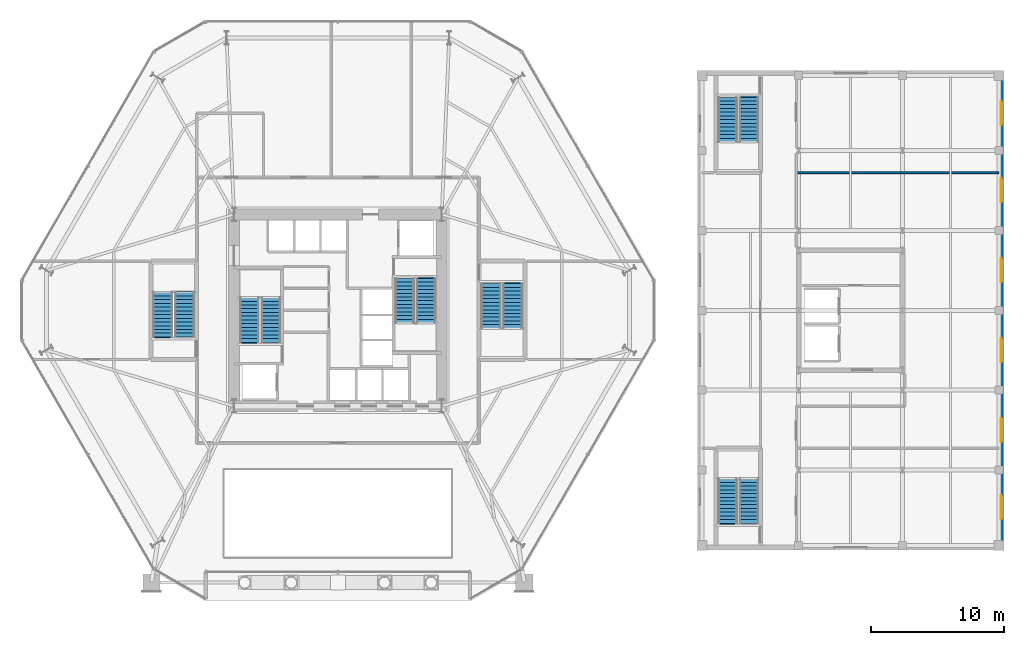
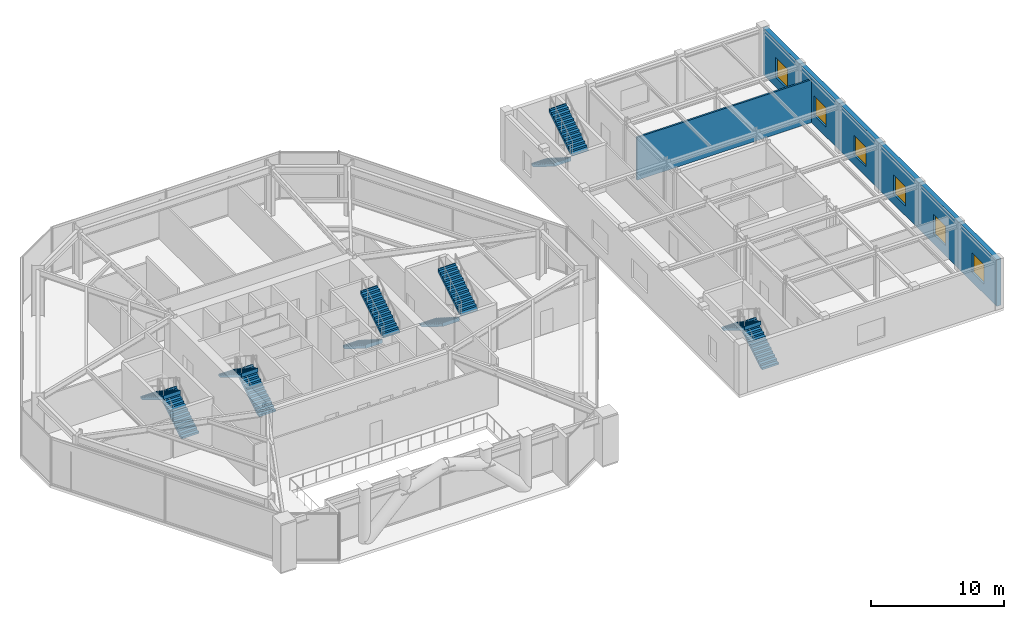
# One storey, part 19 of 23: 12 stair flights, 6 windows, 2 walls, 6 openings, 6 elements without a shape of their own.
"""IFC4 building model written with IfcOpenShell, lengths in metres."""

import ifcopenshell
import ifcopenshell.guid

model = None  # the IFC model being written
_history = None  # IfcOwnerHistory: only IFC2X3 demands one
_inside = {}  # id of a spatial element -> (the spatial element, [elements in it])
_under = {}  # id of a project, library or spatial element -> (it, [spatial elements below it])
_declared = {}  # id of a project -> (the project, [libraries it declares])
_typed = {}  # id of a type object -> (the type object, [elements of that type])
_made_of = {}  # id of a material, layer set ... -> (it, [elements and type objects made of it])


def new_model(schema):
    """Start an empty IFC model of exactly this schema.

    Asked for "IFC4X3", IfcOpenShell would pick the latest addendum, in which some entities
    have other attributes; the version numbers below select the first issue.
    IFC2X3 requires an IfcOwnerHistory on every rooted entity: one is made here for all.
    """
    global model, _history
    if schema == "IFC4X3":
        model = ifcopenshell.file(schema_version=(4, 3, 0, 0))
    else:
        model = ifcopenshell.file(schema=schema)
    _inside.clear()
    _under.clear()
    _declared.clear()
    _typed.clear()
    _made_of.clear()
    _history = None
    if model.schema == "IFC2X3":
        org = make("IfcOrganization", Name="unknown")
        user = make(
            "IfcPersonAndOrganization",
            ThePerson=make("IfcPerson", FamilyName="unknown"),
            TheOrganization=org,
        )
        app = make(
            "IfcApplication",
            ApplicationDeveloper=org,
            Version="unknown",
            ApplicationFullName="unknown",
            ApplicationIdentifier="unknown",
        )
        _history = make(
            "IfcOwnerHistory",
            OwningUser=user,
            OwningApplication=app,
            ChangeAction="ADDED",
            CreationDate=0,
        )
    return model


def make(cls, **values):
    """One entity of the class cls with the attributes given. An attribute that is None is left unset."""
    return model.create_entity(
        cls, **{name: value for name, value in values.items() if value is not None}
    )


def rooted(cls, **values):
    """An entity with a GlobalId (a new one), such as an element, a storey or a relation."""
    return make(cls, GlobalId=ifcopenshell.guid.new(), OwnerHistory=_history, **values)


def si_unit(unit_type, name, prefix=None):
    """IfcSIUnit, for example si_unit("LENGTHUNIT", "METRE", prefix="MILLI")."""
    return make("IfcSIUnit", UnitType=unit_type, Prefix=prefix, Name=name)


def assignment(units):
    """IfcUnitAssignment: the units of a project."""
    return None if units is None else make("IfcUnitAssignment", Units=units)


def point(xyz):
    """IfcCartesianPoint."""
    return None if xyz is None else make("IfcCartesianPoint", Coordinates=xyz)


def direction(xyz):
    """IfcDirection."""
    return None if xyz is None else make("IfcDirection", DirectionRatios=xyz)


def frame(location, z_axis=None, x_axis=None):
    """IfcAxis2Placement3D, a coordinate frame: its origin and axes. An axis left out is left unset."""
    return make(
        "IfcAxis2Placement3D",
        Location=point(location),
        Axis=direction(z_axis),
        RefDirection=direction(x_axis),
    )


def frame_2d(location, x_axis=None):
    """IfcAxis2Placement2D, a coordinate frame in the plane: its origin and x axis."""
    return make(
        "IfcAxis2Placement2D", Location=point(location), RefDirection=direction(x_axis)
    )


def origin():
    """The frame at (0, 0, 0) with its axes left unset."""
    return frame((0.0, 0.0, 0.0))


def place(relative_to, where):
    """IfcLocalPlacement: puts the frame where relative to a parent placement (None: the world)."""
    return make(
        "IfcLocalPlacement", PlacementRelTo=relative_to, RelativePlacement=where
    )


def context(
    kind, dimensions, precision=None, world=None, true_north=None, identifier=None
):
    """IfcGeometricRepresentationContext, for example the 3D "Model" context."""
    return make(
        "IfcGeometricRepresentationContext",
        ContextIdentifier=identifier,
        ContextType=kind,
        CoordinateSpaceDimension=dimensions,
        Precision=precision,
        WorldCoordinateSystem=world,
        TrueNorth=true_north,
    )


def subcontext(parent, identifier, kind, view, scale=None):
    """IfcGeometricRepresentationSubContext, for example "Body" below "Model"."""
    return make(
        "IfcGeometricRepresentationSubContext",
        ContextIdentifier=identifier,
        ContextType=kind,
        ParentContext=parent,
        TargetScale=scale,
        TargetView=view,
    )


def project(units=None, contexts=None):
    """IfcProject with its units and contexts."""
    return rooted(
        "IfcProject",
        Name="project",
        RepresentationContexts=contexts,
        UnitsInContext=assignment(units),
    )


def spatial(cls, under=None, at=None, **own):
    """A site, building, storey or space (cls), placed at a placement, below another one or the project."""
    s = rooted(cls, ObjectPlacement=at, **own)
    if under is not None:
        _under.setdefault(under.id(), (under, []))[1].append(s)
    return s


def polyline(points):
    """IfcPolyline through the points."""
    return make("IfcPolyline", Points=[point(p) for p in points])


def profile(cls, at=None, kind="AREA", **sizes):
    """A parametric profile (cls). Its sizes go by their IFC names, for example OverallWidth=200.0."""
    return make(cls, ProfileType=kind, Position=at, **sizes)


def rectangle(**sizes):
    """IfcRectangleProfileDef."""
    return profile("IfcRectangleProfileDef", **sizes)


def outline(outer, holes=None, kind="AREA"):
    """IfcArbitraryClosedProfileDef: a profile drawn as a closed curve; with holes, ...WithVoids."""
    if holes is None:
        return make("IfcArbitraryClosedProfileDef", ProfileType=kind, OuterCurve=outer)
    return make(
        "IfcArbitraryProfileDefWithVoids",
        ProfileType=kind,
        OuterCurve=outer,
        InnerCurves=holes,
    )


def extrude(swept, where, along, depth):
    """IfcExtrudedAreaSolid: the profile swept, set in the frame where, extruded along a direction by depth."""
    return make(
        "IfcExtrudedAreaSolid",
        SweptArea=swept,
        Position=where,
        ExtrudedDirection=direction(along),
        Depth=depth,
    )


def shape(context_of_items, identifier, shape_type, items):
    """IfcShapeRepresentation: the items that make up one representation, for example the "Body"."""
    return make(
        "IfcShapeRepresentation",
        ContextOfItems=context_of_items,
        RepresentationIdentifier=identifier,
        RepresentationType=shape_type,
        Items=items,
    )


def material(Name=None, Category=None):
    """IfcMaterial."""
    return make("IfcMaterial", Name=Name, Category=Category)


def layer(
    of_material, thickness, ventilated=None, Name=None, Category=None, Priority=None
):
    """IfcMaterialLayer: one layer of a wall or slab, of a material (None: an air gap)."""
    return make(
        "IfcMaterialLayer",
        Material=of_material,
        LayerThickness=thickness,
        IsVentilated=ventilated,
        Name=Name,
        Category=Category,
        Priority=Priority,
    )


def layer_set(layers, Name=None):
    """IfcMaterialLayerSet."""
    return make("IfcMaterialLayerSet", MaterialLayers=layers, LayerSetName=Name)


def made_of(thing, what):
    """Note that an element or type object is made of a material, layer set ...; save() writes the relation."""
    if what is not None:
        _made_of.setdefault(what.id(), (what, []))[1].append(thing)
    return thing


def type_object(cls, material=None, **own):
    """A type object (cls), such as IfcWallType, which elements share."""
    return made_of(rooted(cls, **own), material)


def element(
    cls,
    number,
    at=None,
    inside=None,
    cuts=None,
    type_object=None,
    material=None,
    context=None,
    identifier="Body",
    shape_type=None,
    held_by="IfcProductDefinitionShape",
    body=None,
    shapes=None,
    **own,
):
    """One element of the class cls, such as IfcWall. Its Tag is "e" and its number.

    at: its placement. inside: the storey or other place that contains it. cuts: it is an
    opening in that element (IfcRelVoidsElement). A single representation is given by context,
    identifier, shape_type and body (its items); several are given by shapes. held_by: the class
    of the entity that holds the representations. save() writes the other relations.
    """
    e = rooted(cls, Tag="e%d" % number, ObjectPlacement=at, **own)
    if body is not None:
        shapes = [shape(context, identifier, shape_type, body)]
    if shapes is not None:
        e.Representation = make(held_by, Representations=shapes)
    if inside is not None:
        _inside.setdefault(inside.id(), (inside, []))[1].append(e)
    if cuts is not None:
        rooted(
            "IfcRelVoidsElement", RelatingBuildingElement=cuts, RelatedOpeningElement=e
        )
    if type_object is not None:
        _typed.setdefault(type_object.id(), (type_object, []))[1].append(e)
    return made_of(e, material)


def fill(opening, filler):
    """IfcRelFillsElement: the door or window that sits in an opening."""
    return rooted(
        "IfcRelFillsElement",
        RelatingOpeningElement=opening,
        RelatedBuildingElement=filler,
    )


def aggregate(whole, parts):
    """IfcRelAggregates: a whole, such as a stair, and the parts it consists of."""
    return rooted("IfcRelAggregates", RelatingObject=whole, RelatedObjects=parts)


def save(model, path):
    """Write the relations noted so far, then the file.

    IfcRelAggregates (storeys below a building ...), IfcRelContainedInSpatialStructure (elements
    in a storey), IfcRelDefinesByType, IfcRelAssociatesMaterial and IfcRelDeclares: one each for
    every whole, place, type object, material and project.
    """
    for whole, parts in _under.values():
        aggregate(whole, parts)
    for where, things in _inside.values():
        rooted(
            "IfcRelContainedInSpatialStructure",
            RelatedElements=things,
            RelatingStructure=where,
        )
    for kind, things in _typed.values():
        rooted("IfcRelDefinesByType", RelatedObjects=things, RelatingType=kind)
    for what, things in _made_of.values():
        rooted("IfcRelAssociatesMaterial", RelatedObjects=things, RelatingMaterial=what)
    for by, libraries in _declared.values():
        rooted("IfcRelDeclares", RelatingContext=by, RelatedDefinitions=libraries)
    model.write(path)


model = new_model("IFC4")

# Units and contexts
model_context = context("Model", 3, precision=1e-05, world=origin(), true_north=direction((0.0, 1.0)))
body_context = subcontext(model_context, "Body", "Model", "MODEL_VIEW")
ifc_project = project(units=[si_unit("LENGTHUNIT", "METRE"), si_unit("AREAUNIT", "SQUARE_METRE"), si_unit("VOLUMEUNIT", "CUBIC_METRE"), si_unit("PLANEANGLEUNIT", "RADIAN"), si_unit("MASSUNIT", "GRAM", prefix="KILO")], contexts=[model_context])

# Site, building, storey
site_placement = place(None, origin())
site = spatial("IfcSite", under=ifc_project, at=site_placement, CompositionType="ELEMENT")
building_placement = place(site_placement, origin())
building = spatial("IfcBuilding", under=site, at=building_placement, Name="Kranzbogen Civic Tower", CompositionType="ELEMENT")
storey_placement = place(building_placement, frame((0.0, 0.0, 14.39990234375)))
storey = spatial("IfcBuildingStorey", under=building, at=storey_placement, Name="L03", CompositionType="ELEMENT", Elevation=14.39990234375)

# Wall
ifc_material_1 = material(Name="Double-Stud Acoustic Gypsum Partition")
ifc_layer_1 = layer(ifc_material_1, 0.14990234375, Name="Double-Stud Acoustic Gypsum Partition")
ifc_layer_set_1 = layer_set([ifc_layer_1], Name="Double-Stud Acoustic Gypsum Partition")
wall_type_1 = type_object("IfcWallType", Name="Acoustic Corridor and Clinical Partition 150 mm", PredefinedType="PARTITIONING", material=ifc_layer_set_1)
wall_1_placement = place(storey_placement, frame((59.455078125, 35.35009765625, 0.0), z_axis=(0.0, 0.0, 1.0), x_axis=(1.0, 0.0, 0.0)))
element("IfcWall", 1, at=wall_1_placement, inside=storey, type_object=wall_type_1, Name="L03 clinical partition 06", PredefinedType="PARTITIONING", context=body_context, shape_type="SweptSolid", body=[
    extrude(rectangle(XDim=15.1650390625, YDim=0.14990234375, at=frame_2d((7.58251953125, 0.0))), origin(), (0.0, 0.0, 1.0), 3.940185546875),
])

# Wall, openings, windows
ifc_material_2 = material(Name="Precast concrete C40/50", Category="concrete")
ifc_layer_2 = layer(ifc_material_2, 0.3798828125, Name="Precast concrete C40/50")
ifc_layer_set_2 = layer_set([ifc_layer_2], Name="Precast concrete C40/50")
wall_type_2 = type_object("IfcWallType", Name="Health Centre Insulated Precast Facade Wall 380 mm", PredefinedType="STANDARD", material=ifc_layer_set_2)
wall_2_placement = place(storey_placement, frame((74.81005859375, 42.6201171875, 0.0), z_axis=(0.0, 0.0, 1.0), x_axis=(0.0, -1.0, 0.0)))
wall_2 = element("IfcWall", 2, at=wall_2_placement, inside=storey, type_object=wall_type_2, Name="L03 Health Centre East facade wall", PredefinedType="STANDARD", context=body_context, shape_type="SweptSolid", body=[
    extrude(rectangle(XDim=35.240234375, YDim=0.3798828125, at=frame_2d((17.6201171875, 0.0))), origin(), (0.0, 0.0, 1.0), 4.300048828125),
])
opening_1_placement = place(wall_2_placement, frame((31.52001953125, 0.0, 0.89990234375)))
opening_1 = element("IfcOpeningElement", 3, at=opening_1_placement, cuts=wall_2, Name="Opening W-HC18", PredefinedType="OPENING", context=body_context, shape_type="SweptSolid", body=[
    extrude(rectangle(XDim=1.800048828125, YDim=1.800048828125, at=frame_2d((0.89990234375, 0.89990234375))), frame((0.0, 0.199951171875, 0.0), z_axis=(0.0, -1.0, 0.0), x_axis=(1.0, 0.0, 0.0)), (0.0, 0.0, 1.0), 0.39990234375),
])
opening_2_placement = place(wall_2_placement, frame((25.719970703125, 0.0, 0.89990234375)))
opening_2 = element("IfcOpeningElement", 4, at=opening_2_placement, cuts=wall_2, Name="Opening W-HC18", PredefinedType="OPENING", context=body_context, shape_type="SweptSolid", body=[
    extrude(rectangle(XDim=1.800048828125, YDim=1.800048828125, at=frame_2d((0.89990234375, 0.89990234375))), frame((0.0, 0.199951171875, 0.0), z_axis=(0.0, -1.0, 0.0), x_axis=(1.0, 0.0, 0.0)), (0.0, 0.0, 1.0), 0.39990234375),
])
opening_3_placement = place(wall_2_placement, frame((19.719970703125, 0.0, 0.89990234375)))
opening_3 = element("IfcOpeningElement", 5, at=opening_3_placement, cuts=wall_2, Name="Opening W-HC18", PredefinedType="OPENING", context=body_context, shape_type="SweptSolid", body=[
    extrude(rectangle(XDim=1.800048828125, YDim=1.800048828125, at=frame_2d((0.89990234375, 0.89990234375))), frame((0.0, 0.199951171875, 0.0), z_axis=(0.0, -1.0, 0.0), x_axis=(1.0, 0.0, 0.0)), (0.0, 0.0, 1.0), 0.39990234375),
])
opening_4_placement = place(wall_2_placement, frame((13.719970703125, 0.0, 0.89990234375)))
opening_4 = element("IfcOpeningElement", 6, at=opening_4_placement, cuts=wall_2, Name="Opening W-HC18", PredefinedType="OPENING", context=body_context, shape_type="SweptSolid", body=[
    extrude(rectangle(XDim=1.800048828125, YDim=1.800048828125, at=frame_2d((0.89990234375, 0.89990234375))), frame((0.0, 0.199951171875, 0.0), z_axis=(0.0, -1.0, 0.0), x_axis=(1.0, 0.0, 0.0)), (0.0, 0.0, 1.0), 0.39990234375),
])
opening_5_placement = place(wall_2_placement, frame((7.719970703125, 0.0, 0.89990234375)))
opening_5 = element("IfcOpeningElement", 7, at=opening_5_placement, cuts=wall_2, Name="Opening W-HC18", PredefinedType="OPENING", context=body_context, shape_type="SweptSolid", body=[
    extrude(rectangle(XDim=1.800048828125, YDim=1.800048828125, at=frame_2d((0.89990234375, 0.89990234375))), frame((0.0, 0.199951171875, 0.0), z_axis=(0.0, -1.0, 0.0), x_axis=(1.0, 0.0, 0.0)), (0.0, 0.0, 1.0), 0.39990234375),
])
opening_6_placement = place(wall_2_placement, frame((1.919921875, 0.0, 0.89990234375)))
opening_6 = element("IfcOpeningElement", 8, at=opening_6_placement, cuts=wall_2, Name="Opening W-HC18", PredefinedType="OPENING", context=body_context, shape_type="SweptSolid", body=[
    extrude(rectangle(XDim=1.800048828125, YDim=1.800048828125, at=frame_2d((0.89990234375, 0.89990234375))), frame((0.0, 0.199951171875, 0.0), z_axis=(0.0, -1.0, 0.0), x_axis=(1.0, 0.0, 0.0)), (0.0, 0.0, 1.0), 0.39990234375),
])
ifc_material_3 = material(Name="Low-E Triple Glazing Glass", Category="glass")
window_type = type_object("IfcWindowType", Name="Clinical Triple-Glazed Window 1800x1800", PartitioningType="DOUBLE_PANEL_VERTICAL", PredefinedType="WINDOW", material=ifc_material_3)
window_1_placement = place(opening_1_placement, origin())
window_1 = element("IfcWindow", 9, at=window_1_placement, inside=storey, type_object=window_type, Name="L03 Health Centre East bay 1 window", OverallHeight=1.800048828125, OverallWidth=1.800048828125, PartitioningType="DOUBLE_PANEL_VERTICAL", PredefinedType="WINDOW", context=body_context, shape_type="SweptSolid", body=[
    extrude(rectangle(XDim=1.800048828125, YDim=1.800048828125, at=frame_2d((0.89990234375, 0.89990234375))), frame((0.0, 0.030029296875, 0.0), z_axis=(0.0, -1.0, 0.0), x_axis=(1.0, 0.0, 0.0)), (0.0, 0.0, 1.0), 0.06005859375),
])
fill(opening_1, window_1)
window_2_placement = place(opening_2_placement, origin())
window_2 = element("IfcWindow", 10, at=window_2_placement, inside=storey, type_object=window_type, Name="L03 Health Centre East bay 2 window", OverallHeight=1.800048828125, OverallWidth=1.800048828125, PartitioningType="DOUBLE_PANEL_VERTICAL", PredefinedType="WINDOW", context=body_context, shape_type="SweptSolid", body=[
    extrude(rectangle(XDim=1.800048828125, YDim=1.800048828125, at=frame_2d((0.89990234375, 0.89990234375))), frame((0.0, 0.030029296875, 0.0), z_axis=(0.0, -1.0, 0.0), x_axis=(1.0, 0.0, 0.0)), (0.0, 0.0, 1.0), 0.06005859375),
])
fill(opening_2, window_2)
window_3_placement = place(opening_3_placement, origin())
window_3 = element("IfcWindow", 11, at=window_3_placement, inside=storey, type_object=window_type, Name="L03 Health Centre East bay 3 window", OverallHeight=1.800048828125, OverallWidth=1.800048828125, PartitioningType="DOUBLE_PANEL_VERTICAL", PredefinedType="WINDOW", context=body_context, shape_type="SweptSolid", body=[
    extrude(rectangle(XDim=1.800048828125, YDim=1.800048828125, at=frame_2d((0.89990234375, 0.89990234375))), frame((0.0, 0.030029296875, 0.0), z_axis=(0.0, -1.0, 0.0), x_axis=(1.0, 0.0, 0.0)), (0.0, 0.0, 1.0), 0.06005859375),
])
fill(opening_3, window_3)
window_4_placement = place(opening_4_placement, origin())
window_4 = element("IfcWindow", 12, at=window_4_placement, inside=storey, type_object=window_type, Name="L03 Health Centre East bay 4 window", OverallHeight=1.800048828125, OverallWidth=1.800048828125, PartitioningType="DOUBLE_PANEL_VERTICAL", PredefinedType="WINDOW", context=body_context, shape_type="SweptSolid", body=[
    extrude(rectangle(XDim=1.800048828125, YDim=1.800048828125, at=frame_2d((0.89990234375, 0.89990234375))), frame((0.0, 0.030029296875, 0.0), z_axis=(0.0, -1.0, 0.0), x_axis=(1.0, 0.0, 0.0)), (0.0, 0.0, 1.0), 0.06005859375),
])
fill(opening_4, window_4)
window_5_placement = place(opening_5_placement, origin())
window_5 = element("IfcWindow", 13, at=window_5_placement, inside=storey, type_object=window_type, Name="L03 Health Centre East bay 5 window", OverallHeight=1.800048828125, OverallWidth=1.800048828125, PartitioningType="DOUBLE_PANEL_VERTICAL", PredefinedType="WINDOW", context=body_context, shape_type="SweptSolid", body=[
    extrude(rectangle(XDim=1.800048828125, YDim=1.800048828125, at=frame_2d((0.89990234375, 0.89990234375))), frame((0.0, 0.030029296875, 0.0), z_axis=(0.0, -1.0, 0.0), x_axis=(1.0, 0.0, 0.0)), (0.0, 0.0, 1.0), 0.06005859375),
])
fill(opening_5, window_5)
window_6_placement = place(opening_6_placement, origin())
window_6 = element("IfcWindow", 14, at=window_6_placement, inside=storey, type_object=window_type, Name="L03 Health Centre East bay 6 window", OverallHeight=1.800048828125, OverallWidth=1.800048828125, PartitioningType="DOUBLE_PANEL_VERTICAL", PredefinedType="WINDOW", context=body_context, shape_type="SweptSolid", body=[
    extrude(rectangle(XDim=1.800048828125, YDim=1.800048828125, at=frame_2d((0.89990234375, 0.89990234375))), frame((0.0, 0.030029296875, 0.0), z_axis=(0.0, -1.0, 0.0), x_axis=(1.0, 0.0, 0.0)), (0.0, 0.0, 1.0), 0.06005859375),
])
fill(opening_6, window_6)

# Stair, stair flights
stair_type_1 = type_object("IfcStairType", Name="Tower Core Pressurized Dogleg Stair 1450", PredefinedType="HALF_TURN_STAIR", material=ifc_material_2)
stair_1_placement = place(storey_placement, origin())
stair_1 = element("IfcStair", 15, at=stair_1_placement, inside=storey, type_object=stair_type_1, Name="L03 Tower Core Pressurized Stair 1", PredefinedType="HALF_TURN_STAIR")
stair_flight_type = type_object("IfcStairFlightType", Name="Precast Concrete Stair Flight R177", PredefinedType="STRAIGHT", material=ifc_material_2)
stair_flight_1_placement = place(storey_placement, frame((19.97509765625, 22.60009765625, 0.0), z_axis=(0.0, 0.0, 1.0), x_axis=(0.0, 1.0, 0.0)))
stair_flight_1 = element("IfcStairFlight", 16, at=stair_flight_1_placement, type_object=stair_flight_type, Name="ST-T1 flight 1", NumberOfRisers=13, NumberOfTreads=12, PredefinedType="STRAIGHT", RiserHeight=0.176923077, TreadLength=0.28, context=body_context, shape_type="SweptSolid", body=[
    extrude(outline(polyline([(0.0, 0.0), (0.0, 0.177001953125), (0.280029296875, 0.177001953125), (0.280029296875, 0.353759765625), (0.56005859375, 0.353759765625), (0.56005859375, 0.53076171875), (0.840087890625, 0.53076171875), (0.840087890625, 0.707763671875), (1.1201171875, 0.707763671875), (1.1201171875, 0.884521484375), (1.39990234375, 0.884521484375), (1.39990234375, 1.0615234375), (1.679931640625, 1.0615234375), (1.679931640625, 1.238525390625), (1.9599609375, 1.238525390625), (1.9599609375, 1.415283203125), (2.239990234375, 1.415283203125), (2.239990234375, 1.59228515625), (2.52001953125, 1.59228515625), (2.52001953125, 1.769287109375), (2.800048828125, 1.769287109375), (2.800048828125, 1.946044921875), (3.080078125, 1.946044921875), (3.080078125, 2.123046875), (3.360107421875, 2.123046875), (3.360107421875, 2.300048828125), (3.440185546875, 2.300048828125), (3.440185546875, 1.94580078125), (0.280517578125, 0.0), (0.0, 0.0)])), frame((0.0, 0.72509765625, 0.0), z_axis=(0.0, -1.0, 0.0), x_axis=(1.0, 0.0, 0.0)), (0.0, 0.0, 1.0), 1.449951171875),
])
stair_flight_2_placement = place(storey_placement, frame((18.375, 25.9599609375, 2.300048828125), z_axis=(0.0, 0.0, 1.0), x_axis=(0.0, -1.0, 0.0)))
stair_flight_2 = element("IfcStairFlight", 17, at=stair_flight_2_placement, type_object=stair_flight_type, Name="ST-T1 flight 2", NumberOfRisers=13, NumberOfTreads=12, PredefinedType="STRAIGHT", RiserHeight=0.176923077, TreadLength=0.28, context=body_context, shape_type="SweptSolid", body=[
    extrude(outline(polyline([(0.0, 0.0), (0.0, 0.177001953125), (0.280029296875, 0.177001953125), (0.280029296875, 0.353759765625), (0.56005859375, 0.353759765625), (0.56005859375, 0.53076171875), (0.840087890625, 0.53076171875), (0.840087890625, 0.707763671875), (1.1201171875, 0.707763671875), (1.1201171875, 0.884521484375), (1.39990234375, 0.884521484375), (1.39990234375, 1.0615234375), (1.679931640625, 1.0615234375), (1.679931640625, 1.238525390625), (1.9599609375, 1.238525390625), (1.9599609375, 1.415283203125), (2.239990234375, 1.415283203125), (2.239990234375, 1.59228515625), (2.52001953125, 1.59228515625), (2.52001953125, 1.769287109375), (2.800048828125, 1.769287109375), (2.800048828125, 1.946044921875), (3.080078125, 1.946044921875), (3.080078125, 2.123046875), (3.360107421875, 2.123046875), (3.360107421875, 2.300048828125), (3.440185546875, 2.300048828125), (3.440185546875, 1.94580078125), (0.280517578125, 0.0), (0.0, 0.0)])), frame((0.0, 0.72509765625, 0.0), z_axis=(0.0, -1.0, 0.0), x_axis=(1.0, 0.0, 0.0)), (0.0, 0.0, 1.0), 1.449951171875),
])
aggregate(stair_1, [stair_flight_1, stair_flight_2])

stair_type_2 = type_object("IfcStairType", Name="Tower Core Secondary Dogleg Stair 1450", PredefinedType="HALF_TURN_STAIR", material=ifc_material_2)
stair_2_placement = place(storey_placement, origin())
stair_2 = element("IfcStair", 18, at=stair_2_placement, inside=storey, type_object=stair_type_2, Name="L03 Tower Core Pressurized Stair 2", PredefinedType="HALF_TURN_STAIR")
stair_flight_3_placement = place(storey_placement, frame((30.02490234375, 27.39990234375, 0.0), z_axis=(0.0, 0.0, 1.0), x_axis=(0.0, -1.0, 0.0)))
stair_flight_3 = element("IfcStairFlight", 19, at=stair_flight_3_placement, type_object=stair_flight_type, Name="ST-T2 flight 1", NumberOfRisers=13, NumberOfTreads=12, PredefinedType="STRAIGHT", RiserHeight=0.176923077, TreadLength=0.28, context=body_context, shape_type="SweptSolid", body=[
    extrude(outline(polyline([(0.0, 0.0), (0.0, 0.177001953125), (0.280029296875, 0.177001953125), (0.280029296875, 0.353759765625), (0.56005859375, 0.353759765625), (0.56005859375, 0.53076171875), (0.840087890625, 0.53076171875), (0.840087890625, 0.707763671875), (1.1201171875, 0.707763671875), (1.1201171875, 0.884521484375), (1.39990234375, 0.884521484375), (1.39990234375, 1.0615234375), (1.679931640625, 1.0615234375), (1.679931640625, 1.238525390625), (1.9599609375, 1.238525390625), (1.9599609375, 1.415283203125), (2.239990234375, 1.415283203125), (2.239990234375, 1.59228515625), (2.52001953125, 1.59228515625), (2.52001953125, 1.769287109375), (2.800048828125, 1.769287109375), (2.800048828125, 1.946044921875), (3.080078125, 1.946044921875), (3.080078125, 2.123046875), (3.360107421875, 2.123046875), (3.360107421875, 2.300048828125), (3.440185546875, 2.300048828125), (3.440185546875, 1.94580078125), (0.280517578125, 0.0), (0.0, 0.0)])), frame((0.0, 0.72509765625, 0.0), z_axis=(0.0, -1.0, 0.0), x_axis=(1.0, 0.0, 0.0)), (0.0, 0.0, 1.0), 1.449951171875),
])
stair_flight_4_placement = place(storey_placement, frame((31.625, 24.0400390625, 2.300048828125), z_axis=(0.0, 0.0, 1.0), x_axis=(0.0, 1.0, 0.0)))
stair_flight_4 = element("IfcStairFlight", 20, at=stair_flight_4_placement, type_object=stair_flight_type, Name="ST-T2 flight 2", NumberOfRisers=13, NumberOfTreads=12, PredefinedType="STRAIGHT", RiserHeight=0.176923077, TreadLength=0.28, context=body_context, shape_type="SweptSolid", body=[
    extrude(outline(polyline([(0.0, 0.0), (0.0, 0.177001953125), (0.280029296875, 0.177001953125), (0.280029296875, 0.353759765625), (0.56005859375, 0.353759765625), (0.56005859375, 0.53076171875), (0.840087890625, 0.53076171875), (0.840087890625, 0.707763671875), (1.1201171875, 0.707763671875), (1.1201171875, 0.884521484375), (1.39990234375, 0.884521484375), (1.39990234375, 1.0615234375), (1.679931640625, 1.0615234375), (1.679931640625, 1.238525390625), (1.9599609375, 1.238525390625), (1.9599609375, 1.415283203125), (2.239990234375, 1.415283203125), (2.239990234375, 1.59228515625), (2.52001953125, 1.59228515625), (2.52001953125, 1.769287109375), (2.800048828125, 1.769287109375), (2.800048828125, 1.946044921875), (3.080078125, 1.946044921875), (3.080078125, 2.123046875), (3.360107421875, 2.123046875), (3.360107421875, 2.300048828125), (3.440185546875, 2.300048828125), (3.440185546875, 1.94580078125), (0.280517578125, 0.0), (0.0, 0.0)])), frame((0.0, 0.72509765625, 0.0), z_axis=(0.0, -1.0, 0.0), x_axis=(1.0, 0.0, 0.0)), (0.0, 0.0, 1.0), 1.449951171875),
])
aggregate(stair_2, [stair_flight_3, stair_flight_4])

stair_type_3 = type_object("IfcStairType", Name="Podium Assembly Dogleg Stair 1500", PredefinedType="HALF_TURN_STAIR", material=ifc_material_2)
stair_3_placement = place(storey_placement, origin())
stair_3 = element("IfcStair", 21, at=stair_3_placement, inside=storey, type_object=stair_type_3, Name="L03 Podium Assembly Stair West", PredefinedType="HALF_TURN_STAIR")
stair_flight_5_placement = place(storey_placement, frame((13.5, 23.0, 0.0), z_axis=(0.0, 0.0, 1.0), x_axis=(0.0, 1.0, 0.0)))
stair_flight_5 = element("IfcStairFlight", 22, at=stair_flight_5_placement, type_object=stair_flight_type, Name="ST-P1 flight 1", NumberOfRisers=13, NumberOfTreads=12, PredefinedType="STRAIGHT", RiserHeight=0.176923077, TreadLength=0.28, context=body_context, shape_type="SweptSolid", body=[
    extrude(outline(polyline([(0.0, 0.0), (0.0, 0.177001953125), (0.280029296875, 0.177001953125), (0.280029296875, 0.353759765625), (0.56005859375, 0.353759765625), (0.56005859375, 0.53076171875), (0.840087890625, 0.53076171875), (0.840087890625, 0.707763671875), (1.1201171875, 0.707763671875), (1.1201171875, 0.884521484375), (1.39990234375, 0.884521484375), (1.39990234375, 1.0615234375), (1.679931640625, 1.0615234375), (1.679931640625, 1.238525390625), (1.9599609375, 1.238525390625), (1.9599609375, 1.415283203125), (2.239990234375, 1.415283203125), (2.239990234375, 1.59228515625), (2.52001953125, 1.59228515625), (2.52001953125, 1.769287109375), (2.800048828125, 1.769287109375), (2.800048828125, 1.946044921875), (3.080078125, 1.946044921875), (3.080078125, 2.123046875), (3.360107421875, 2.123046875), (3.360107421875, 2.300048828125), (3.440185546875, 2.300048828125), (3.440185546875, 1.94580078125), (0.280517578125, 0.0), (0.0, 0.0)])), frame((0.0, 0.75, 0.0), z_axis=(0.0, -1.0, 0.0), x_axis=(1.0, 0.0, 0.0)), (0.0, 0.0, 1.0), 1.5),
])
stair_flight_6_placement = place(storey_placement, frame((11.85009765625, 26.360107421875, 2.300048828125), z_axis=(0.0, 0.0, 1.0), x_axis=(0.0, -1.0, 0.0)))
stair_flight_6 = element("IfcStairFlight", 23, at=stair_flight_6_placement, type_object=stair_flight_type, Name="ST-P1 flight 2", NumberOfRisers=13, NumberOfTreads=12, PredefinedType="STRAIGHT", RiserHeight=0.176923077, TreadLength=0.28, context=body_context, shape_type="SweptSolid", body=[
    extrude(outline(polyline([(0.0, 0.0), (0.0, 0.177001953125), (0.280029296875, 0.177001953125), (0.280029296875, 0.353759765625), (0.56005859375, 0.353759765625), (0.56005859375, 0.53076171875), (0.840087890625, 0.53076171875), (0.840087890625, 0.707763671875), (1.1201171875, 0.707763671875), (1.1201171875, 0.884521484375), (1.39990234375, 0.884521484375), (1.39990234375, 1.0615234375), (1.679931640625, 1.0615234375), (1.679931640625, 1.238525390625), (1.9599609375, 1.238525390625), (1.9599609375, 1.415283203125), (2.239990234375, 1.415283203125), (2.239990234375, 1.59228515625), (2.52001953125, 1.59228515625), (2.52001953125, 1.769287109375), (2.800048828125, 1.769287109375), (2.800048828125, 1.946044921875), (3.080078125, 1.946044921875), (3.080078125, 2.123046875), (3.360107421875, 2.123046875), (3.360107421875, 2.300048828125), (3.440185546875, 2.300048828125), (3.440185546875, 1.94580078125), (0.280517578125, 0.0), (0.0, 0.0)])), frame((0.0, 0.75, 0.0), z_axis=(0.0, -1.0, 0.0), x_axis=(1.0, 0.0, 0.0)), (0.0, 0.0, 1.0), 1.5),
])
aggregate(stair_3, [stair_flight_5, stair_flight_6])

stair_4_placement = place(storey_placement, origin())
stair_4 = element("IfcStair", 24, at=stair_4_placement, inside=storey, type_object=stair_type_3, Name="L03 Podium Assembly Stair East", PredefinedType="HALF_TURN_STAIR")
stair_flight_7_placement = place(storey_placement, frame((36.5, 27.0, 0.0), z_axis=(0.0, 0.0, 1.0), x_axis=(0.0, -1.0, 0.0)))
stair_flight_7 = element("IfcStairFlight", 25, at=stair_flight_7_placement, type_object=stair_flight_type, Name="ST-P2 flight 1", NumberOfRisers=13, NumberOfTreads=12, PredefinedType="STRAIGHT", RiserHeight=0.176923077, TreadLength=0.28, context=body_context, shape_type="SweptSolid", body=[
    extrude(outline(polyline([(0.0, 0.0), (0.0, 0.177001953125), (0.280029296875, 0.177001953125), (0.280029296875, 0.353759765625), (0.56005859375, 0.353759765625), (0.56005859375, 0.53076171875), (0.840087890625, 0.53076171875), (0.840087890625, 0.707763671875), (1.1201171875, 0.707763671875), (1.1201171875, 0.884521484375), (1.39990234375, 0.884521484375), (1.39990234375, 1.0615234375), (1.679931640625, 1.0615234375), (1.679931640625, 1.238525390625), (1.9599609375, 1.238525390625), (1.9599609375, 1.415283203125), (2.239990234375, 1.415283203125), (2.239990234375, 1.59228515625), (2.52001953125, 1.59228515625), (2.52001953125, 1.769287109375), (2.800048828125, 1.769287109375), (2.800048828125, 1.946044921875), (3.080078125, 1.946044921875), (3.080078125, 2.123046875), (3.360107421875, 2.123046875), (3.360107421875, 2.300048828125), (3.440185546875, 2.300048828125), (3.440185546875, 1.94580078125), (0.280517578125, 0.0), (0.0, 0.0)])), frame((0.0, 0.75, 0.0), z_axis=(0.0, -1.0, 0.0), x_axis=(1.0, 0.0, 0.0)), (0.0, 0.0, 1.0), 1.5),
])
stair_flight_8_placement = place(storey_placement, frame((38.14990234375, 23.639892578125, 2.300048828125), z_axis=(0.0, 0.0, 1.0), x_axis=(0.0, 1.0, 0.0)))
stair_flight_8 = element("IfcStairFlight", 26, at=stair_flight_8_placement, type_object=stair_flight_type, Name="ST-P2 flight 2", NumberOfRisers=13, NumberOfTreads=12, PredefinedType="STRAIGHT", RiserHeight=0.176923077, TreadLength=0.28, context=body_context, shape_type="SweptSolid", body=[
    extrude(outline(polyline([(0.0, 0.0), (0.0, 0.177001953125), (0.280029296875, 0.177001953125), (0.280029296875, 0.353759765625), (0.56005859375, 0.353759765625), (0.56005859375, 0.53076171875), (0.840087890625, 0.53076171875), (0.840087890625, 0.707763671875), (1.1201171875, 0.707763671875), (1.1201171875, 0.884521484375), (1.39990234375, 0.884521484375), (1.39990234375, 1.0615234375), (1.679931640625, 1.0615234375), (1.679931640625, 1.238525390625), (1.9599609375, 1.238525390625), (1.9599609375, 1.415283203125), (2.239990234375, 1.415283203125), (2.239990234375, 1.59228515625), (2.52001953125, 1.59228515625), (2.52001953125, 1.769287109375), (2.800048828125, 1.769287109375), (2.800048828125, 1.946044921875), (3.080078125, 1.946044921875), (3.080078125, 2.123046875), (3.360107421875, 2.123046875), (3.360107421875, 2.300048828125), (3.440185546875, 2.300048828125), (3.440185546875, 1.94580078125), (0.280517578125, 0.0), (0.0, 0.0)])), frame((0.0, 0.75, 0.0), z_axis=(0.0, -1.0, 0.0), x_axis=(1.0, 0.0, 0.0)), (0.0, 0.0, 1.0), 1.5),
])
aggregate(stair_4, [stair_flight_7, stair_flight_8])

stair_type_4 = type_object("IfcStairType", Name="Health Centre Escape Dogleg Stair 1450", PredefinedType="HALF_TURN_STAIR", material=ifc_material_2)
stair_5_placement = place(storey_placement, origin())
stair_5 = element("IfcStair", 27, at=stair_5_placement, inside=storey, type_object=stair_type_4, Name="L03 Health Centre Escape Stair 1", PredefinedType="HALF_TURN_STAIR")
stair_flight_9_placement = place(storey_placement, frame((55.875, 9.0, 0.0), z_axis=(0.0, 0.0, 1.0), x_axis=(0.0, 1.0, 0.0)))
stair_flight_9 = element("IfcStairFlight", 28, at=stair_flight_9_placement, type_object=stair_flight_type, Name="ST-H1 flight 1", NumberOfRisers=13, NumberOfTreads=12, PredefinedType="STRAIGHT", RiserHeight=0.176923077, TreadLength=0.28, context=body_context, shape_type="SweptSolid", body=[
    extrude(outline(polyline([(0.0, 0.0), (0.0, 0.177001953125), (0.280029296875, 0.177001953125), (0.280029296875, 0.353759765625), (0.56005859375, 0.353759765625), (0.56005859375, 0.53076171875), (0.840087890625, 0.53076171875), (0.840087890625, 0.707763671875), (1.1201171875, 0.707763671875), (1.1201171875, 0.884521484375), (1.39990234375, 0.884521484375), (1.39990234375, 1.0615234375), (1.679931640625, 1.0615234375), (1.679931640625, 1.238525390625), (1.9599609375, 1.238525390625), (1.9599609375, 1.415283203125), (2.239990234375, 1.415283203125), (2.239990234375, 1.59228515625), (2.52001953125, 1.59228515625), (2.52001953125, 1.769287109375), (2.800048828125, 1.769287109375), (2.800048828125, 1.946044921875), (3.080078125, 1.946044921875), (3.080078125, 2.123046875), (3.360107421875, 2.123046875), (3.360107421875, 2.300048828125), (3.440185546875, 2.300048828125), (3.440185546875, 1.94580078125), (0.280517578125, 0.0), (0.0, 0.0)])), frame((0.0, 0.72509765625, 0.0), z_axis=(0.0, -1.0, 0.0), x_axis=(1.0, 0.0, 0.0)), (0.0, 0.0, 1.0), 1.449951171875),
])
stair_flight_10_placement = place(storey_placement, frame((54.27490234375, 12.360107421875, 2.300048828125), z_axis=(0.0, 0.0, 1.0), x_axis=(0.0, -1.0, 0.0)))
stair_flight_10 = element("IfcStairFlight", 29, at=stair_flight_10_placement, type_object=stair_flight_type, Name="ST-H1 flight 2", NumberOfRisers=13, NumberOfTreads=12, PredefinedType="STRAIGHT", RiserHeight=0.176923077, TreadLength=0.28, context=body_context, shape_type="SweptSolid", body=[
    extrude(outline(polyline([(0.0, 0.0), (0.0, 0.177001953125), (0.280029296875, 0.177001953125), (0.280029296875, 0.353759765625), (0.56005859375, 0.353759765625), (0.56005859375, 0.53076171875), (0.840087890625, 0.53076171875), (0.840087890625, 0.707763671875), (1.1201171875, 0.707763671875), (1.1201171875, 0.884521484375), (1.39990234375, 0.884521484375), (1.39990234375, 1.0615234375), (1.679931640625, 1.0615234375), (1.679931640625, 1.238525390625), (1.9599609375, 1.238525390625), (1.9599609375, 1.415283203125), (2.239990234375, 1.415283203125), (2.239990234375, 1.59228515625), (2.52001953125, 1.59228515625), (2.52001953125, 1.769287109375), (2.800048828125, 1.769287109375), (2.800048828125, 1.946044921875), (3.080078125, 1.946044921875), (3.080078125, 2.123046875), (3.360107421875, 2.123046875), (3.360107421875, 2.300048828125), (3.440185546875, 2.300048828125), (3.440185546875, 1.94580078125), (0.280517578125, 0.0), (0.0, 0.0)])), frame((0.0, 0.72509765625, 0.0), z_axis=(0.0, -1.0, 0.0), x_axis=(1.0, 0.0, 0.0)), (0.0, 0.0, 1.0), 1.449951171875),
])
aggregate(stair_5, [stair_flight_9, stair_flight_10])

stair_6_placement = place(storey_placement, origin())
stair_6 = element("IfcStair", 30, at=stair_6_placement, inside=storey, type_object=stair_type_4, Name="L03 Health Centre Escape Stair 2", PredefinedType="HALF_TURN_STAIR")
stair_flight_11_placement = place(storey_placement, frame((54.27490234375, 41.0, 0.0), z_axis=(0.0, 0.0, 1.0), x_axis=(0.0, -1.0, 0.0)))
stair_flight_11 = element("IfcStairFlight", 31, at=stair_flight_11_placement, type_object=stair_flight_type, Name="ST-H2 flight 1", NumberOfRisers=13, NumberOfTreads=12, PredefinedType="STRAIGHT", RiserHeight=0.176923077, TreadLength=0.28, context=body_context, shape_type="SweptSolid", body=[
    extrude(outline(polyline([(0.0, 0.0), (0.0, 0.177001953125), (0.280029296875, 0.177001953125), (0.280029296875, 0.353759765625), (0.56005859375, 0.353759765625), (0.56005859375, 0.53076171875), (0.840087890625, 0.53076171875), (0.840087890625, 0.707763671875), (1.1201171875, 0.707763671875), (1.1201171875, 0.884521484375), (1.39990234375, 0.884521484375), (1.39990234375, 1.0615234375), (1.679931640625, 1.0615234375), (1.679931640625, 1.238525390625), (1.9599609375, 1.238525390625), (1.9599609375, 1.415283203125), (2.239990234375, 1.415283203125), (2.239990234375, 1.59228515625), (2.52001953125, 1.59228515625), (2.52001953125, 1.769287109375), (2.800048828125, 1.769287109375), (2.800048828125, 1.946044921875), (3.080078125, 1.946044921875), (3.080078125, 2.123046875), (3.360107421875, 2.123046875), (3.360107421875, 2.300048828125), (3.440185546875, 2.300048828125), (3.440185546875, 1.94580078125), (0.280517578125, 0.0), (0.0, 0.0)])), frame((0.0, 0.72509765625, 0.0), z_axis=(0.0, -1.0, 0.0), x_axis=(1.0, 0.0, 0.0)), (0.0, 0.0, 1.0), 1.449951171875),
])
stair_flight_12_placement = place(storey_placement, frame((55.875, 37.639892578125, 2.300048828125), z_axis=(0.0, 0.0, 1.0), x_axis=(0.0, 1.0, 0.0)))
stair_flight_12 = element("IfcStairFlight", 32, at=stair_flight_12_placement, type_object=stair_flight_type, Name="ST-H2 flight 2", NumberOfRisers=13, NumberOfTreads=12, PredefinedType="STRAIGHT", RiserHeight=0.176923077, TreadLength=0.28, context=body_context, shape_type="SweptSolid", body=[
    extrude(outline(polyline([(0.0, 0.0), (0.0, 0.177001953125), (0.280029296875, 0.177001953125), (0.280029296875, 0.353759765625), (0.56005859375, 0.353759765625), (0.56005859375, 0.53076171875), (0.840087890625, 0.53076171875), (0.840087890625, 0.707763671875), (1.1201171875, 0.707763671875), (1.1201171875, 0.884521484375), (1.39990234375, 0.884521484375), (1.39990234375, 1.0615234375), (1.679931640625, 1.0615234375), (1.679931640625, 1.238525390625), (1.9599609375, 1.238525390625), (1.9599609375, 1.415283203125), (2.239990234375, 1.415283203125), (2.239990234375, 1.59228515625), (2.52001953125, 1.59228515625), (2.52001953125, 1.769287109375), (2.800048828125, 1.769287109375), (2.800048828125, 1.946044921875), (3.080078125, 1.946044921875), (3.080078125, 2.123046875), (3.360107421875, 2.123046875), (3.360107421875, 2.300048828125), (3.440185546875, 2.300048828125), (3.440185546875, 1.94580078125), (0.280517578125, 0.0), (0.0, 0.0)])), frame((0.0, 0.72509765625, 0.0), z_axis=(0.0, -1.0, 0.0), x_axis=(1.0, 0.0, 0.0)), (0.0, 0.0, 1.0), 1.449951171875),
])
aggregate(stair_6, [stair_flight_11, stair_flight_12])

save(model, "model.ifc")
